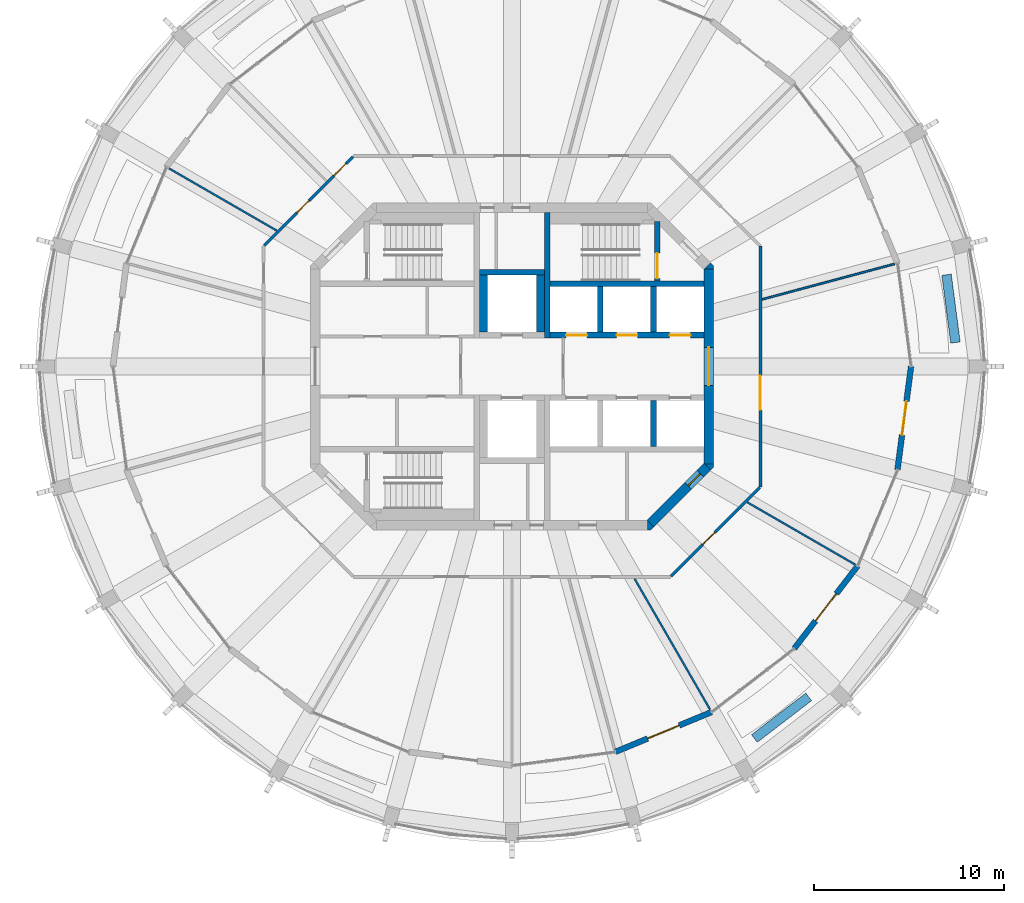
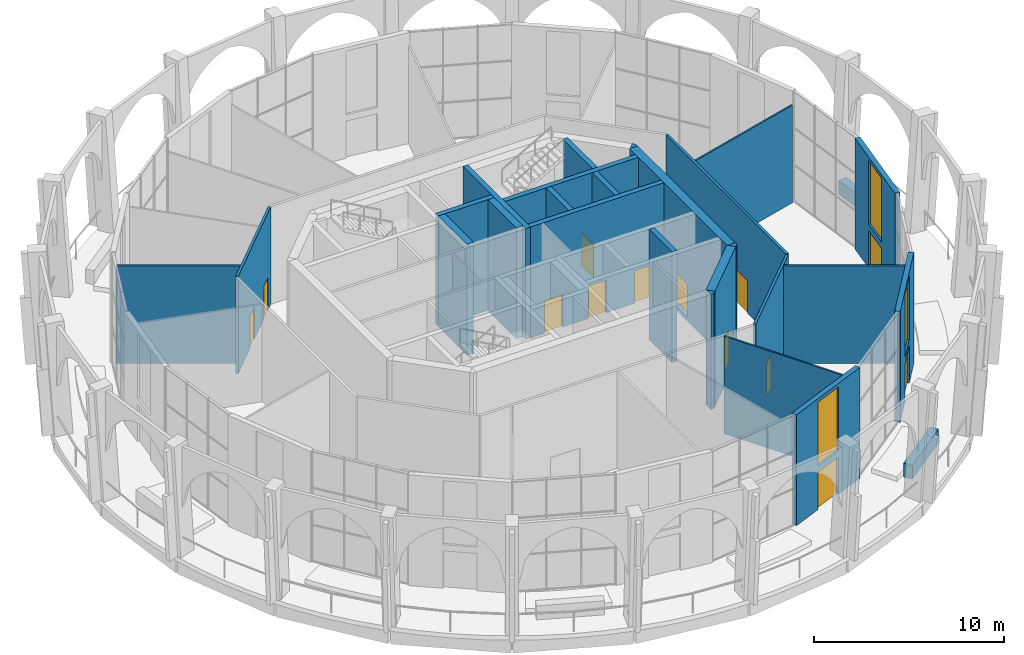
# One storey, part 12 of 17: 27 walls, 13 doors, 3 windows, 16 openings.
"""IFC4 building model written with IfcOpenShell, lengths in metres."""

from ifc_helpers import new_model, si_unit, direction, frame, frame_2d, origin, place, context, subcontext, project, spatial, polyline, rectangle, outline, extrude, material, layer, layer_set, type_object, element, fill, save


model = new_model("IFC4")

# Units and contexts
model_context = context("Model", 3, precision=1e-05, world=origin(), true_north=direction((0.0, 1.0)))
body_context = subcontext(model_context, "Body", "Model", "MODEL_VIEW")
ifc_project = project(units=[si_unit("LENGTHUNIT", "METRE"), si_unit("AREAUNIT", "SQUARE_METRE"), si_unit("VOLUMEUNIT", "CUBIC_METRE"), si_unit("PLANEANGLEUNIT", "RADIAN"), si_unit("MASSUNIT", "GRAM", prefix="KILO")], contexts=[model_context])

# Site, building, storey
site_placement = place(None, origin())
site = spatial("IfcSite", under=ifc_project, at=site_placement, CompositionType="ELEMENT")
building_placement = place(site_placement, origin())
building = spatial("IfcBuilding", under=site, at=building_placement, Name="Torre Triforio", CompositionType="ELEMENT")
storey_placement = place(building_placement, frame((0.0, 0.0, 276.0)))
storey = spatial("IfcBuildingStorey", under=building, at=storey_placement, Name="L64", CompositionType="ELEMENT", Elevation=276.0)

# Wall
ifc_material_1 = material(Name="Concrete C40", Category="concrete")
ifc_layer_1 = layer(ifc_material_1, 0.300048828125)
ifc_layer_set_1 = layer_set([ifc_layer_1], Name="Concrete C40")
wall_type_1 = type_object("IfcWallType", Name="Core wall 300 mm C40 EI 120", PredefinedType="SHEAR", material=ifc_layer_set_1)
wall_1_placement = place(storey_placement, frame((1.85009765625, 1.5, 0.0), z_axis=(0.0, 0.0, 1.0), x_axis=(0.0, 1.0, 0.0)))
element("IfcWall", 1, at=wall_1_placement, inside=storey, type_object=wall_type_1, Name="Core wall", PredefinedType="SHEAR", context=body_context, shape_type="SweptSolid", body=[
    extrude(rectangle(XDim=6.60009765625, YDim=0.300048828125, at=frame_2d((3.300048828125, 0.0))), origin(), (0.0, 0.0, 1.0), 7.1201171875),
])

# Wall, opening, door
ifc_layer_2 = layer(ifc_material_1, 0.5)
ifc_layer_set_2 = layer_set([ifc_layer_2], Name="Concrete C40")
wall_type_2 = type_object("IfcWallType", Name="Core wall 500 mm C40 EI 120", PredefinedType="SHEAR", material=ifc_layer_set_2)
wall_2_placement = place(storey_placement, frame((10.35009765625, -5.1298828125, -0.280029296875), z_axis=(0.0, 0.0, 1.0), x_axis=(0.0, 1.0, 0.0)))
wall_2 = element("IfcWall", 2, at=wall_2_placement, inside=storey, type_object=wall_type_2, Name="Core wall", PredefinedType="SHEAR", context=body_context, shape_type="SweptSolid", body=[
    extrude(rectangle(XDim=10.259765625, YDim=0.5, at=frame_2d((5.1298828125, 0.0))), origin(), (0.0, 0.0, 1.0), 7.400146484375),
])
opening_1_placement = place(wall_2_placement, frame((4.1298828125, 0.0, 0.280029296875)))
opening_1 = element("IfcOpeningElement", 3, at=opening_1_placement, cuts=wall_2, Name="Opening E-RING", PredefinedType="OPENING", context=body_context, shape_type="SweptSolid", body=[
    extrude(rectangle(XDim=2.0, YDim=2.10009765625, at=frame_2d((1.0, 1.050048828125))), frame((0.0, 0.260009765625, 0.0), z_axis=(0.0, -1.0, 0.0), x_axis=(1.0, 0.0, 0.0)), (0.0, 0.0, 1.0), 0.52001953125),
])
ifc_material_2 = material(Name="Hollow metal fire door leaf")
door_type_1 = type_object("IfcDoorType", Name="Lobby door 2000 x 2100 EI 60", OperationType="DOUBLE_DOOR_SINGLE_SWING", PredefinedType="DOOR", material=ifc_material_2)
door_1_placement = place(opening_1_placement, origin())
door_1 = element("IfcDoor", 4, at=door_1_placement, inside=storey, type_object=door_type_1, Name="Core door E-RING", OperationType="DOUBLE_DOOR_SINGLE_SWING", OverallHeight=2.10009765625, OverallWidth=2.0, PredefinedType="DOOR", context=body_context, shape_type="SweptSolid", body=[
    extrude(rectangle(XDim=2.0, YDim=2.10009765625, at=frame_2d((1.0, 1.050048828125))), frame((0.0, 0.02490234375, 0.0), z_axis=(0.0, -1.0, 0.0), x_axis=(1.0, 0.0, 0.0)), (0.0, 0.0, 1.0), 0.050048828125),
])
fill(opening_1, door_1)

wall_3_placement = place(storey_placement, frame((10.27685546875, -5.27685546875, -0.280029296875), z_axis=(0.0, 0.0, 1.0), x_axis=(-0.707106781187, -0.707106781187, 0.0)))
wall_3 = element("IfcWall", 5, at=wall_3_placement, inside=storey, type_object=wall_type_2, Name="Core wall", PredefinedType="SHEAR", context=body_context, shape_type="SweptSolid", body=[
    extrude(rectangle(XDim=4.24267578125, YDim=0.5, at=frame_2d((2.121337890625, 0.0))), origin(), (0.0, 0.0, 1.0), 7.400146484375),
])
opening_2_placement = place(wall_3_placement, frame((0.52001953125, 0.0, 0.280029296875)))
opening_2 = element("IfcOpeningElement", 6, at=opening_2_placement, cuts=wall_3, Name="Opening SE-02", PredefinedType="OPENING", context=body_context, shape_type="SweptSolid", body=[
    extrude(rectangle(XDim=0.89990234375, YDim=2.10009765625, at=frame_2d((0.449951171875, 1.050048828125))), frame((0.0, 0.260009765625, 0.0), z_axis=(0.0, -1.0, 0.0), x_axis=(1.0, 0.0, 0.0)), (0.0, 0.0, 1.0), 0.52001953125),
])
door_type_2 = type_object("IfcDoorType", Name="Room door 900 x 2100 EI 60", OperationType="NOTDEFINED", PredefinedType="DOOR", material=ifc_material_2)
door_2_placement = place(opening_2_placement, origin())
door_2 = element("IfcDoor", 7, at=door_2_placement, inside=storey, type_object=door_type_2, Name="Core door SE-02", OperationType="SINGLE_SWING_RIGHT", OverallHeight=2.10009765625, OverallWidth=0.89990234375, PredefinedType="DOOR", context=body_context, shape_type="SweptSolid", body=[
    extrude(rectangle(XDim=0.89990234375, YDim=2.10009765625, at=frame_2d((0.449951171875, 1.050048828125))), frame((0.0, 0.02490234375, 0.0), z_axis=(0.0, -1.0, 0.0), x_axis=(1.0, 0.0, 0.0)), (0.0, 0.0, 1.0), 0.050048828125),
])
fill(opening_2, door_2)

# Walls
wall_4_placement = place(storey_placement, frame((0.0, 0.0, -0.280029296875)))
element("IfcWall", 8, at=wall_4_placement, inside=storey, type_object=wall_type_2, Name="Core wall", PredefinedType="SHEAR", context=body_context, shape_type="SweptSolid", body=[
    extrude(outline(polyline([(7.30712890625, -8.60009765625), (7.1298828125, -8.60009765625), (7.1298828125, -8.1298828125), (7.45361328125, -8.45361328125), (7.30712890625, -8.60009765625)])), origin(), (0.0, 0.0, 1.0), 7.400146484375),
])
wall_5_placement = place(storey_placement, frame((0.0, 0.0, -0.280029296875)))
element("IfcWall", 9, at=wall_5_placement, inside=storey, type_object=wall_type_2, Name="Core wall", PredefinedType="SHEAR", context=body_context, shape_type="SweptSolid", body=[
    extrude(outline(polyline([(10.60009765625, -5.30712890625), (10.45361328125, -5.45361328125), (10.1298828125, -5.1298828125), (10.60009765625, -5.1298828125), (10.60009765625, -5.30712890625)])), origin(), (0.0, 0.0, 1.0), 7.400146484375),
])
wall_6_placement = place(storey_placement, frame((0.0, 0.0, -0.280029296875)))
element("IfcWall", 10, at=wall_6_placement, inside=storey, type_object=wall_type_2, Name="Core wall", PredefinedType="SHEAR", context=body_context, shape_type="SweptSolid", body=[
    extrude(outline(polyline([(10.60009765625, 5.30712890625), (10.60009765625, 5.1298828125), (10.1298828125, 5.1298828125), (10.45361328125, 5.45361328125), (10.60009765625, 5.30712890625)])), origin(), (0.0, 0.0, 1.0), 7.400146484375),
])

# Wall, opening, door
ifc_material_3 = material(Name="Plasterboard on metal studs")
ifc_layer_3 = layer(ifc_material_3, 0.14990234375)
ifc_layer_set_3 = layer_set([ifc_layer_3], Name="Plasterboard on metal studs")
wall_type_3 = type_object("IfcWallType", Name="Corridor and tenancy wall 150 mm EI 60", PredefinedType="PARTITIONING", material=ifc_layer_set_3)
wall_7_placement = place(storey_placement, frame((13.037841796875, -6.369384765625, 0.0), z_axis=(0.0, 0.0, 1.0), x_axis=(-0.707106781187, -0.707106781187, 0.0)))
wall_7 = element("IfcWall", 11, at=wall_7_placement, inside=storey, type_object=wall_type_3, Name="Partition 1", PredefinedType="PARTITIONING", context=body_context, shape_type="SweptSolid", body=[
    extrude(rectangle(XDim=6.602294921875, YDim=0.14990234375, at=frame_2d((3.30126953125, 0.0))), origin(), (0.0, 0.0, 1.0), 6.27001953125),
])
opening_3_placement = place(wall_7_placement, frame((3.34423828125, 0.0, 0.0)))
opening_3 = element("IfcOpeningElement", 12, at=opening_3_placement, cuts=wall_7, Name="Opening G4-05", PredefinedType="OPENING", context=body_context, shape_type="SweptSolid", body=[
    extrude(rectangle(XDim=0.89990234375, YDim=2.10009765625, at=frame_2d((0.449951171875, 1.050048828125))), frame((0.0, 0.0849609375, 0.0), z_axis=(0.0, -1.0, 0.0), x_axis=(1.0, 0.0, 0.0)), (0.0, 0.0, 1.0), 0.169921875),
])
ifc_material_4 = material(Name="Timber", Category="wood")
door_type_3 = type_object("IfcDoorType", Name="Door 900 x 2100 single leaf EI 30", OperationType="NOTDEFINED", PredefinedType="DOOR", material=ifc_material_4)
door_3_placement = place(opening_3_placement, origin())
door_3 = element("IfcDoor", 13, at=door_3_placement, inside=storey, type_object=door_type_3, Name="Door G4-05", OperationType="SINGLE_SWING_LEFT", OverallHeight=2.10009765625, OverallWidth=0.89990234375, PredefinedType="DOOR", context=body_context, shape_type="SweptSolid", body=[
    extrude(rectangle(XDim=0.89990234375, YDim=2.10009765625, at=frame_2d((0.449951171875, 1.050048828125))), frame((0.0, 0.02490234375, 0.0), z_axis=(0.0, -1.0, 0.0), x_axis=(1.0, 0.0, 0.0)), (0.0, 0.0, 1.0), 0.050048828125),
])
fill(opening_3, door_3)

# Wall, openings, doors
wall_8_placement = place(storey_placement, frame((-13.037841796875, 6.369384765625, 0.0), z_axis=(0.0, 0.0, 1.0), x_axis=(0.707106781187, 0.707106781187, 0.0)))
wall_8 = element("IfcWall", 14, at=wall_8_placement, inside=storey, type_object=wall_type_3, Name="Partition 5", PredefinedType="PARTITIONING", context=body_context, shape_type="SweptSolid", body=[
    extrude(rectangle(XDim=6.602294921875, YDim=0.14990234375, at=frame_2d((3.30126953125, 0.0))), origin(), (0.0, 0.0, 1.0), 6.27001953125),
])
opening_4_placement = place(wall_8_placement, frame((5.183837890625, 0.0, 0.0)))
opening_4 = element("IfcOpeningElement", 15, at=opening_4_placement, cuts=wall_8, Name="Opening G4-11", PredefinedType="OPENING", context=body_context, shape_type="SweptSolid", body=[
    extrude(rectangle(XDim=0.89990234375, YDim=2.10009765625, at=frame_2d((0.449951171875, 1.050048828125))), frame((0.0, 0.0849609375, 0.0), z_axis=(0.0, -1.0, 0.0), x_axis=(1.0, 0.0, 0.0)), (0.0, 0.0, 1.0), 0.169921875),
])
opening_5_placement = place(wall_8_placement, frame((2.42578125, 0.0, 0.0)))
opening_5 = element("IfcOpeningElement", 16, at=opening_5_placement, cuts=wall_8, Name="Opening G4-12", PredefinedType="OPENING", context=body_context, shape_type="SweptSolid", body=[
    extrude(rectangle(XDim=0.89990234375, YDim=2.10009765625, at=frame_2d((0.449951171875, 1.050048828125))), frame((0.0, 0.0849609375, 0.0), z_axis=(0.0, -1.0, 0.0), x_axis=(1.0, 0.0, 0.0)), (0.0, 0.0, 1.0), 0.169921875),
])
door_4_placement = place(opening_4_placement, origin())
door_4 = element("IfcDoor", 17, at=door_4_placement, inside=storey, type_object=door_type_3, Name="Door G4-11", OperationType="SINGLE_SWING_RIGHT", OverallHeight=2.10009765625, OverallWidth=0.89990234375, PredefinedType="DOOR", context=body_context, shape_type="SweptSolid", body=[
    extrude(rectangle(XDim=0.89990234375, YDim=2.10009765625, at=frame_2d((0.449951171875, 1.050048828125))), frame((0.0, 0.02490234375, 0.0), z_axis=(0.0, -1.0, 0.0), x_axis=(1.0, 0.0, 0.0)), (0.0, 0.0, 1.0), 0.050048828125),
])
fill(opening_4, door_4)
door_5_placement = place(opening_5_placement, origin())
door_5 = element("IfcDoor", 18, at=door_5_placement, inside=storey, type_object=door_type_3, Name="Door G4-12", OperationType="SINGLE_SWING_LEFT", OverallHeight=2.10009765625, OverallWidth=0.89990234375, PredefinedType="DOOR", context=body_context, shape_type="SweptSolid", body=[
    extrude(rectangle(XDim=0.89990234375, YDim=2.10009765625, at=frame_2d((0.449951171875, 1.050048828125))), frame((0.0, 0.02490234375, 0.0), z_axis=(0.0, -1.0, 0.0), x_axis=(1.0, 0.0, 0.0)), (0.0, 0.0, 1.0), 0.050048828125),
])
fill(opening_5, door_5)

# Wall, opening, door
wall_9_placement = place(storey_placement, frame((13.074951171875, 6.332275390625, 0.0), z_axis=(0.0, 0.0, 1.0), x_axis=(0.0, -1.0, 0.0)))
wall_9 = element("IfcWall", 19, at=wall_9_placement, inside=storey, type_object=wall_type_3, Name="Partition 8", PredefinedType="PARTITIONING", context=body_context, shape_type="SweptSolid", body=[
    extrude(rectangle(XDim=12.66455078125, YDim=0.14990234375, at=frame_2d((6.332275390625, 0.0))), origin(), (0.0, 0.0, 1.0), 6.27001953125),
])
opening_6_placement = place(wall_9_placement, frame((6.82080078125, 0.0, 0.0)))
opening_6 = element("IfcOpeningElement", 20, at=opening_6_placement, cuts=wall_9, Name="Opening G4-06", PredefinedType="OPENING", context=body_context, shape_type="SweptSolid", body=[
    extrude(rectangle(XDim=1.800048828125, YDim=2.10009765625, at=frame_2d((0.89990234375, 1.050048828125))), frame((0.0, 0.0849609375, 0.0), z_axis=(0.0, -1.0, 0.0), x_axis=(1.0, 0.0, 0.0)), (0.0, 0.0, 1.0), 0.169921875),
])
door_type_4 = type_object("IfcDoorType", Name="Door 1800 x 2100 double leaf EI 30", OperationType="DOUBLE_DOOR_SINGLE_SWING", PredefinedType="DOOR", material=ifc_material_4)
door_6_placement = place(opening_6_placement, origin())
door_6 = element("IfcDoor", 21, at=door_6_placement, inside=storey, type_object=door_type_4, Name="Door G4-06", OperationType="DOUBLE_DOOR_SINGLE_SWING", OverallHeight=2.10009765625, OverallWidth=1.800048828125, PredefinedType="DOOR", context=body_context, shape_type="SweptSolid", body=[
    extrude(rectangle(XDim=1.800048828125, YDim=2.10009765625, at=frame_2d((0.89990234375, 1.050048828125))), frame((0.0, 0.02490234375, 0.0), z_axis=(0.0, -1.0, 0.0), x_axis=(1.0, 0.0, 0.0)), (0.0, 0.0, 1.0), 0.050048828125),
])
fill(opening_6, door_6)

# Walls
ifc_layer_4 = layer(ifc_material_3, 0.10009765625)
ifc_layer_set_4 = layer_set([ifc_layer_4], Name="Plasterboard on metal studs")
wall_type_4 = type_object("IfcWallType", Name="Partition 100 mm board on metal studs", PredefinedType="PARTITIONING", material=ifc_layer_set_4)
wall_10_placement = place(storey_placement, frame((13.164306640625, 3.52734375, 0.0), z_axis=(0.0, 0.0, 1.0), x_axis=(0.965929002199, 0.258807192153, 0.0)))
element("IfcWall", 22, at=wall_10_placement, inside=storey, type_object=wall_type_4, Name="Partition 9", PredefinedType="PARTITIONING", context=body_context, shape_type="SweptSolid", body=[
    extrude(rectangle(XDim=7.2080078125, YDim=0.10009765625, at=frame_2d((3.60400390625, 0.0))), origin(), (0.0, 0.0, 1.0), 6.27001953125),
])
wall_11_placement = place(storey_placement, frame((-12.3837890625, 7.14990234375, 0.0), z_axis=(0.0, 0.0, 1.0), x_axis=(-0.866028240128, 0.499995087276, 0.0)))
element("IfcWall", 23, at=wall_11_placement, inside=storey, type_object=wall_type_4, Name="Partition 15", PredefinedType="PARTITIONING", context=body_context, shape_type="SweptSolid", body=[
    extrude(rectangle(XDim=6.537109375, YDim=0.10009765625, at=frame_2d((3.2685546875, 0.0))), origin(), (0.0, 0.0, 1.0), 6.27001953125),
])
wall_12_placement = place(storey_placement, frame((6.45166015625, -11.174560546875, 0.0), z_axis=(0.0, 0.0, 1.0), x_axis=(0.50000481735, -0.866022622468, 0.0)))
element("IfcWall", 24, at=wall_12_placement, inside=storey, type_object=wall_type_4, Name="Partition 21", PredefinedType="PARTITIONING", context=body_context, shape_type="SweptSolid", body=[
    extrude(rectangle(XDim=7.93359375, YDim=0.10009765625, at=frame_2d((3.966796875, 0.0))), origin(), (0.0, 0.0, 1.0), 6.27001953125),
])
wall_13_placement = place(storey_placement, frame((12.3837890625, -7.14990234375, 0.0), z_axis=(0.0, 0.0, 1.0), x_axis=(0.866028240128, -0.499995087276, 0.0)))
element("IfcWall", 25, at=wall_13_placement, inside=storey, type_object=wall_type_4, Name="Partition 22", PredefinedType="PARTITIONING", context=body_context, shape_type="SweptSolid", body=[
    extrude(rectangle(XDim=6.537109375, YDim=0.10009765625, at=frame_2d((3.2685546875, 0.0))), origin(), (0.0, 0.0, 1.0), 6.27001953125),
])
ifc_material_5 = material(Name="Limestone cladding", Category="masonry")
ifc_layer_5 = layer(ifc_material_5, 0.10009765625)
ifc_layer_6 = layer(ifc_material_1, 0.39990234375)
ifc_layer_set_5 = layer_set([ifc_layer_5, ifc_layer_6], Name="Limestone cladding / Concrete C40")
wall_type_5 = type_object("IfcWallType", Name="Planter wall 500", PredefinedType="PARAPET", material=ifc_layer_set_5)
for number, where, z_axis, x_axis, name in (
    (26, (23.335693359375, 1.256591796875, 0.0), (0.0, 0.0, 1.0), (-0.130542222659, 0.991442750795, 0.0), "Planter L64 bay 01"),
    (27, (12.756103515625, -19.580810546875, 0.0), (0.0, 0.0, 1.0), (0.793384730612, 0.608720518162, 0.0), "Planter L64 bay 21"),
):
    element("IfcWall", number, at=place(storey_placement, frame(where, z_axis=z_axis, x_axis=x_axis)), inside=storey, type_object=wall_type_5, Name=name, PredefinedType="PARAPET", context=body_context, shape_type="SweptSolid", body=[
        extrude(rectangle(XDim=3.60009765625, YDim=0.5, at=frame_2d((1.800048828125, 0.0))), origin(), (0.0, 0.0, 1.0), 0.89990234375),
    ])
ifc_layer_7 = layer(ifc_material_1, 0.300048828125)
ifc_layer_set_6 = layer_set([ifc_layer_7], Name="Concrete C40")
wall_type_6 = type_object("IfcWallType", Name="Shaft wall 300 mm C40 EI 120", PredefinedType="SOLIDWALL", material=ifc_layer_set_6)
wall_14_placement = place(storey_placement, frame((2.0, 4.35009765625, 0.0), z_axis=(0.0, 0.0, 1.0), x_axis=(1.0, 0.0, 0.0)))
element("IfcWall", 28, at=wall_14_placement, inside=storey, type_object=wall_type_6, Name="Shaft wall", PredefinedType="SOLIDWALL", context=body_context, shape_type="SweptSolid", body=[
    extrude(rectangle(XDim=8.10009765625, YDim=0.300048828125, at=frame_2d((4.050048828125, 0.0))), origin(), (0.0, 0.0, 1.0), 7.1201171875),
])

# Wall, openings, doors
wall_15_placement = place(storey_placement, frame((2.0, 1.64990234375, 0.0), z_axis=(0.0, 0.0, 1.0), x_axis=(1.0, 0.0, 0.0)))
wall_15 = element("IfcWall", 29, at=wall_15_placement, inside=storey, type_object=wall_type_6, Name="Shaft wall", PredefinedType="SOLIDWALL", context=body_context, shape_type="SweptSolid", body=[
    extrude(rectangle(XDim=8.10009765625, YDim=0.300048828125, at=frame_2d((4.050048828125, 0.0))), origin(), (0.0, 0.0, 1.0), 7.1201171875),
])
opening_7_placement = place(wall_15_placement, frame((0.85009765625, 0.0, 0.0)))
opening_7 = element("IfcOpeningElement", 30, at=opening_7_placement, cuts=wall_15, Name="Opening LD", PredefinedType="OPENING", context=body_context, shape_type="SweptSolid", body=[
    extrude(rectangle(XDim=1.10009765625, YDim=2.10009765625, at=frame_2d((0.550048828125, 1.050048828125))), frame((0.0, 0.159912109375, 0.0), z_axis=(0.0, -1.0, 0.0), x_axis=(1.0, 0.0, 0.0)), (0.0, 0.0, 1.0), 0.320068359375),
])
opening_8_placement = place(wall_15_placement, frame((3.5, 0.0, 0.0)))
opening_8 = element("IfcOpeningElement", 31, at=opening_8_placement, cuts=wall_15, Name="Opening LD", PredefinedType="OPENING", context=body_context, shape_type="SweptSolid", body=[
    extrude(rectangle(XDim=1.10009765625, YDim=2.10009765625, at=frame_2d((0.550048828125, 1.050048828125))), frame((0.0, 0.159912109375, 0.0), z_axis=(0.0, -1.0, 0.0), x_axis=(1.0, 0.0, 0.0)), (0.0, 0.0, 1.0), 0.320068359375),
])
opening_9_placement = place(wall_15_placement, frame((6.300048828125, 0.0, 0.0)))
opening_9 = element("IfcOpeningElement", 32, at=opening_9_placement, cuts=wall_15, Name="Opening LD", PredefinedType="OPENING", context=body_context, shape_type="SweptSolid", body=[
    extrude(rectangle(XDim=1.10009765625, YDim=2.10009765625, at=frame_2d((0.550048828125, 1.050048828125))), frame((0.0, 0.159912109375, 0.0), z_axis=(0.0, -1.0, 0.0), x_axis=(1.0, 0.0, 0.0)), (0.0, 0.0, 1.0), 0.320068359375),
])
door_type_5 = type_object("IfcDoorType", Name="Landing door 1100 x 2100 EI 60", OperationType="DOUBLE_DOOR_SLIDING", PredefinedType="DOOR", material=ifc_material_2)
door_7_placement = place(opening_7_placement, origin())
door_7 = element("IfcDoor", 33, at=door_7_placement, inside=storey, type_object=door_type_5, Name="Landing door HR1", OperationType="DOUBLE_DOOR_SLIDING", OverallHeight=2.10009765625, OverallWidth=1.10009765625, PredefinedType="DOOR", context=body_context, shape_type="SweptSolid", body=[
    extrude(rectangle(XDim=1.10009765625, YDim=2.10009765625, at=frame_2d((0.550048828125, 1.050048828125))), frame((0.0, 0.02490234375, 0.0), z_axis=(0.0, -1.0, 0.0), x_axis=(1.0, 0.0, 0.0)), (0.0, 0.0, 1.0), 0.050048828125),
])
fill(opening_7, door_7)
door_8_placement = place(opening_8_placement, origin())
door_8 = element("IfcDoor", 34, at=door_8_placement, inside=storey, type_object=door_type_5, Name="Landing door HR2", OperationType="DOUBLE_DOOR_SLIDING", OverallHeight=2.10009765625, OverallWidth=1.10009765625, PredefinedType="DOOR", context=body_context, shape_type="SweptSolid", body=[
    extrude(rectangle(XDim=1.10009765625, YDim=2.10009765625, at=frame_2d((0.550048828125, 1.050048828125))), frame((0.0, 0.02490234375, 0.0), z_axis=(0.0, -1.0, 0.0), x_axis=(1.0, 0.0, 0.0)), (0.0, 0.0, 1.0), 0.050048828125),
])
fill(opening_8, door_8)
door_9_placement = place(opening_9_placement, origin())
door_9 = element("IfcDoor", 35, at=door_9_placement, inside=storey, type_object=door_type_5, Name="Landing door HR3", OperationType="DOUBLE_DOOR_SLIDING", OverallHeight=2.10009765625, OverallWidth=1.10009765625, PredefinedType="DOOR", context=body_context, shape_type="SweptSolid", body=[
    extrude(rectangle(XDim=1.10009765625, YDim=2.10009765625, at=frame_2d((0.550048828125, 1.050048828125))), frame((0.0, 0.02490234375, 0.0), z_axis=(0.0, -1.0, 0.0), x_axis=(1.0, 0.0, 0.0)), (0.0, 0.0, 1.0), 0.050048828125),
])
fill(opening_9, door_9)

# Walls
for number, where, z_axis, x_axis, name in (
    (36, (4.64990234375, 1.800048828125, 0.0), (0.0, 0.0, 1.0), (0.0, 1.0, 0.0), "Shaft wall"),
    (37, (7.449951171875, 1.800048828125, 0.0), (0.0, 0.0, 1.0), (0.0, 1.0, 0.0), "Shaft wall"),
    (38, (7.449951171875, -4.199951171875, 0.0), (0.0, 0.0, 1.0), (0.0, 1.0, 0.0), "Shaft wall"),
):
    element("IfcWall", number, at=place(storey_placement, frame(where, z_axis=z_axis, x_axis=x_axis)), inside=storey, type_object=wall_type_6, Name=name, PredefinedType="SOLIDWALL", context=body_context, shape_type="SweptSolid", body=[
        extrude(rectangle(XDim=2.39990234375, YDim=0.300048828125, at=frame_2d((1.199951171875, 0.0))), origin(), (0.0, 0.0, 1.0), 7.1201171875),
    ])
wall_16_placement = place(storey_placement, frame((-1.699951171875, 4.949951171875, 0.0), z_axis=(0.0, 0.0, 1.0), x_axis=(1.0, 0.0, 0.0)))
element("IfcWall", 39, at=wall_16_placement, inside=storey, type_object=wall_type_6, Name="Shaft wall", PredefinedType="SOLIDWALL", context=body_context, shape_type="SweptSolid", body=[
    extrude(rectangle(XDim=3.39990234375, YDim=0.300048828125, at=frame_2d((1.699951171875, 0.0))), origin(), (0.0, 0.0, 1.0), 7.1201171875),
])
ifc_layer_8 = layer(ifc_material_1, 0.39990234375)
ifc_layer_set_7 = layer_set([ifc_layer_8], Name="Concrete C40")
wall_type_7 = type_object("IfcWallType", Name="Shaft wall 400 mm C40 EI 120", PredefinedType="SOLIDWALL", material=ifc_layer_set_7)
for number, where, z_axis, x_axis, name in (
    (40, (-1.5, 1.800048828125, 0.0), (0.0, 0.0, 1.0), (0.0, 1.0, 0.0), "Shaft wall"),
    (41, (1.5, 1.800048828125, 0.0), (0.0, 0.0, 1.0), (0.0, 1.0, 0.0), "Shaft wall"),
):
    element("IfcWall", number, at=place(storey_placement, frame(where, z_axis=z_axis, x_axis=x_axis)), inside=storey, type_object=wall_type_7, Name=name, PredefinedType="SOLIDWALL", context=body_context, shape_type="SweptSolid", body=[
        extrude(rectangle(XDim=3.0, YDim=0.39990234375, at=frame_2d((1.5, 0.0))), origin(), (0.0, 0.0, 1.0), 7.1201171875),
    ])

# Wall, opening, door
ifc_layer_9 = layer(ifc_material_1, 0.300048828125)
ifc_layer_set_8 = layer_set([ifc_layer_9], Name="Concrete C40")
wall_type_8 = type_object("IfcWallType", Name="Stair wall 300 mm C40 EI 120", PredefinedType="SHEAR", material=ifc_layer_set_8)
wall_17_placement = place(storey_placement, frame((7.64990234375, 4.5, 0.0), z_axis=(0.0, 0.0, 1.0), x_axis=(0.0, 1.0, 0.0)))
wall_17 = element("IfcWall", 42, at=wall_17_placement, inside=storey, type_object=wall_type_8, Name="Stair wall", PredefinedType="SHEAR", context=body_context, shape_type="SweptSolid", body=[
    extrude(rectangle(XDim=3.139892578125, YDim=0.300048828125, at=frame_2d((1.56982421875, 0.0))), origin(), (0.0, 0.0, 1.0), 7.1201171875),
])
opening_10_placement = place(wall_17_placement, frame((0.139892578125, 0.0, 0.0)))
opening_10 = element("IfcOpeningElement", 43, at=opening_10_placement, cuts=wall_17, Name="Opening ST2-STA", PredefinedType="OPENING", context=body_context, shape_type="SweptSolid", body=[
    extrude(rectangle(XDim=1.320068359375, YDim=2.10009765625, at=frame_2d((0.66015625, 1.050048828125))), frame((0.0, 0.159912109375, 0.0), z_axis=(0.0, -1.0, 0.0), x_axis=(1.0, 0.0, 0.0)), (0.0, 0.0, 1.0), 0.320068359375),
])
door_type_6 = type_object("IfcDoorType", Name="Stair door 1320 x 2100 EI 90", OperationType="DOUBLE_DOOR_SINGLE_SWING", PredefinedType="DOOR", material=ifc_material_2)
door_10_placement = place(opening_10_placement, origin())
door_10 = element("IfcDoor", 44, at=door_10_placement, inside=storey, type_object=door_type_6, Name="Core door ST2-ST", OperationType="DOUBLE_DOOR_SINGLE_SWING", OverallHeight=2.10009765625, OverallWidth=1.320068359375, PredefinedType="DOOR", context=body_context, shape_type="SweptSolid", body=[
    extrude(rectangle(XDim=1.320068359375, YDim=2.10009765625, at=frame_2d((0.66015625, 1.050048828125))), frame((0.0, 0.02490234375, 0.0), z_axis=(0.0, -1.0, 0.0), x_axis=(1.0, 0.0, 0.0)), (0.0, 0.0, 1.0), 0.050048828125),
])
fill(opening_10, door_10)

# Wall, openings, window, door
ifc_layer_10 = layer(ifc_material_5, 0.10009765625)
ifc_layer_11 = layer(ifc_material_1, 0.199951171875)
ifc_layer_set_9 = layer_set([ifc_layer_10, ifc_layer_11], Name="Limestone cladding / Concrete C40")
wall_type_9 = type_object("IfcWallType", Name="Stone-faced composite wall 300", PredefinedType="STANDARD", material=ifc_layer_set_9)
wall_18_placement = place(storey_placement, frame((5.435302734375, -20.284423828125, 0.0), z_axis=(0.0, 0.0, 1.0), x_axis=(0.923877333662, 0.382688740813, 0.0)))
wall_18 = element("IfcWall", 45, at=wall_18_placement, inside=storey, type_object=wall_type_9, Name="External wall L64 bay 20", PredefinedType="STANDARD", context=body_context, shape_type="SweptSolid", body=[
    extrude(rectangle(XDim=5.48193359375, YDim=0.300048828125, at=frame_2d((2.740966796875, 0.0))), origin(), (0.0, 0.0, 1.0), 7.1201171875),
])
opening_11_placement = place(wall_18_placement, frame((1.841064453125, 0.0, 0.0)))
opening_11 = element("IfcOpeningElement", 46, at=opening_11_placement, cuts=wall_18, Name="Opening G4-D20", PredefinedType="OPENING", context=body_context, shape_type="SweptSolid", body=[
    extrude(rectangle(XDim=1.800048828125, YDim=2.39990234375, at=frame_2d((0.89990234375, 1.199951171875))), frame((0.0, 0.159912109375, 0.0), z_axis=(0.0, -1.0, 0.0), x_axis=(1.0, 0.0, 0.0)), (0.0, 0.0, 1.0), 0.320068359375),
])
opening_12_placement = place(wall_18_placement, frame((1.841064453125, 0.0, 2.800048828125)))
opening_12 = element("IfcOpeningElement", 47, at=opening_12_placement, cuts=wall_18, Name="Opening G4-W20", PredefinedType="OPENING", context=body_context, shape_type="SweptSolid", body=[
    extrude(rectangle(XDim=1.800048828125, YDim=4.10009765625, at=frame_2d((0.89990234375, 2.050048828125))), frame((0.0, 0.159912109375, 0.0), z_axis=(0.0, -1.0, 0.0), x_axis=(1.0, 0.0, 0.0)), (0.0, 0.0, 1.0), 0.320068359375),
])
ifc_material_6 = material(Name="Aluminium frame with clear double glazing", Category="aluminium")
window_type = type_object("IfcWindowType", Name="Garden clerestory window 1800 x 4100", PartitioningType="DOUBLE_PANEL_VERTICAL", PredefinedType="WINDOW", material=ifc_material_6)
window_1_placement = place(opening_12_placement, origin())
window_1 = element("IfcWindow", 48, at=window_1_placement, inside=storey, type_object=window_type, Name="Clerestory EWN22 L64 bay 20", OverallHeight=4.10009765625, OverallWidth=1.800048828125, PartitioningType="SINGLE_PANEL", PredefinedType="WINDOW", context=body_context, shape_type="SweptSolid", body=[
    extrude(rectangle(XDim=1.800048828125, YDim=4.10009765625, at=frame_2d((0.89990234375, 2.050048828125))), frame((0.0, 0.030029296875, 0.0), z_axis=(0.0, -1.0, 0.0), x_axis=(1.0, 0.0, 0.0)), (0.0, 0.0, 1.0), 0.06005859375),
])
fill(opening_12, window_1)
door_type_7 = type_object("IfcDoorType", Name="Terrace double door 1800 x 2400", OperationType="DOUBLE_DOOR_SINGLE_SWING", PredefinedType="DOOR", material=ifc_material_6)
door_11_placement = place(opening_11_placement, origin())
door_11 = element("IfcDoor", 49, at=door_11_placement, inside=storey, type_object=door_type_7, Name="Terrace door L64 bay 20", OperationType="SINGLE_SWING_LEFT", OverallHeight=2.39990234375, OverallWidth=1.800048828125, PredefinedType="DOOR", context=body_context, shape_type="SweptSolid", body=[
    extrude(rectangle(XDim=1.800048828125, YDim=2.39990234375, at=frame_2d((0.89990234375, 1.199951171875))), frame((0.0, 0.02490234375, 0.0), z_axis=(0.0, -1.0, 0.0), x_axis=(1.0, 0.0, 0.0)), (0.0, 0.0, 1.0), 0.050048828125),
])
fill(opening_11, door_11)

wall_19_placement = place(storey_placement, frame((14.84912109375, -14.84912109375, 0.0), z_axis=(0.0, 0.0, 1.0), x_axis=(0.608784891166, 0.793335336593, 0.0)))
wall_19 = element("IfcWall", 50, at=wall_19_placement, inside=storey, type_object=wall_type_9, Name="External wall L64 bay 22", PredefinedType="STANDARD", context=body_context, shape_type="SweptSolid", body=[
    extrude(rectangle(XDim=5.482177734375, YDim=0.300048828125, at=frame_2d((2.7412109375, 0.0))), origin(), (0.0, 0.0, 1.0), 7.1201171875),
])
opening_13_placement = place(wall_19_placement, frame((1.841064453125, 0.0, 0.0)))
opening_13 = element("IfcOpeningElement", 51, at=opening_13_placement, cuts=wall_19, Name="Opening G4-D22", PredefinedType="OPENING", context=body_context, shape_type="SweptSolid", body=[
    extrude(rectangle(XDim=1.800048828125, YDim=2.39990234375, at=frame_2d((0.89990234375, 1.199951171875))), frame((0.0, 0.159912109375, 0.0), z_axis=(0.0, -1.0, 0.0), x_axis=(1.0, 0.0, 0.0)), (0.0, 0.0, 1.0), 0.320068359375),
])
opening_14_placement = place(wall_19_placement, frame((1.841064453125, 0.0, 2.800048828125)))
opening_14 = element("IfcOpeningElement", 52, at=opening_14_placement, cuts=wall_19, Name="Opening G4-W22", PredefinedType="OPENING", context=body_context, shape_type="SweptSolid", body=[
    extrude(rectangle(XDim=1.800048828125, YDim=4.10009765625, at=frame_2d((0.89990234375, 2.050048828125))), frame((0.0, 0.159912109375, 0.0), z_axis=(0.0, -1.0, 0.0), x_axis=(1.0, 0.0, 0.0)), (0.0, 0.0, 1.0), 0.320068359375),
])
window_2_placement = place(opening_14_placement, origin())
window_2 = element("IfcWindow", 53, at=window_2_placement, inside=storey, type_object=window_type, Name="Clerestory EWN22 L64 bay 22", OverallHeight=4.10009765625, OverallWidth=1.800048828125, PartitioningType="SINGLE_PANEL", PredefinedType="WINDOW", context=body_context, shape_type="SweptSolid", body=[
    extrude(rectangle(XDim=1.800048828125, YDim=4.10009765625, at=frame_2d((0.89990234375, 2.050048828125))), frame((0.0, 0.030029296875, 0.0), z_axis=(0.0, -1.0, 0.0), x_axis=(1.0, 0.0, 0.0)), (0.0, 0.0, 1.0), 0.06005859375),
])
fill(opening_14, window_2)
door_12_placement = place(opening_13_placement, origin())
door_12 = element("IfcDoor", 54, at=door_12_placement, inside=storey, type_object=door_type_7, Name="Terrace door L64 bay 22", OperationType="SINGLE_SWING_LEFT", OverallHeight=2.39990234375, OverallWidth=1.800048828125, PredefinedType="DOOR", context=body_context, shape_type="SweptSolid", body=[
    extrude(rectangle(XDim=1.800048828125, YDim=2.39990234375, at=frame_2d((0.89990234375, 1.199951171875))), frame((0.0, 0.02490234375, 0.0), z_axis=(0.0, -1.0, 0.0), x_axis=(1.0, 0.0, 0.0)), (0.0, 0.0, 1.0), 0.050048828125),
])
fill(opening_13, door_12)

wall_20_placement = place(storey_placement, frame((20.284423828125, -5.435302734375, 0.0), z_axis=(0.0, 0.0, 1.0), x_axis=(0.130527087244, 0.991444743541, 0.0)))
wall_20 = element("IfcWall", 55, at=wall_20_placement, inside=storey, type_object=wall_type_9, Name="External wall L64 bay 24", PredefinedType="STANDARD", context=body_context, shape_type="SweptSolid", body=[
    extrude(rectangle(XDim=5.482177734375, YDim=0.300048828125, at=frame_2d((2.7412109375, 0.0))), origin(), (0.0, 0.0, 1.0), 7.1201171875),
])
opening_15_placement = place(wall_20_placement, frame((1.841064453125, 0.0, 0.0)))
opening_15 = element("IfcOpeningElement", 56, at=opening_15_placement, cuts=wall_20, Name="Opening G4-D24", PredefinedType="OPENING", context=body_context, shape_type="SweptSolid", body=[
    extrude(rectangle(XDim=1.800048828125, YDim=2.39990234375, at=frame_2d((0.89990234375, 1.199951171875))), frame((0.0, 0.159912109375, 0.0), z_axis=(0.0, -1.0, 0.0), x_axis=(1.0, 0.0, 0.0)), (0.0, 0.0, 1.0), 0.320068359375),
])
opening_16_placement = place(wall_20_placement, frame((1.841064453125, 0.0, 2.800048828125)))
opening_16 = element("IfcOpeningElement", 57, at=opening_16_placement, cuts=wall_20, Name="Opening G4-W24", PredefinedType="OPENING", context=body_context, shape_type="SweptSolid", body=[
    extrude(rectangle(XDim=1.800048828125, YDim=4.10009765625, at=frame_2d((0.89990234375, 2.050048828125))), frame((0.0, 0.159912109375, 0.0), z_axis=(0.0, -1.0, 0.0), x_axis=(1.0, 0.0, 0.0)), (0.0, 0.0, 1.0), 0.320068359375),
])
window_3_placement = place(opening_16_placement, origin())
window_3 = element("IfcWindow", 58, at=window_3_placement, inside=storey, type_object=window_type, Name="Clerestory EWN22 L64 bay 24", OverallHeight=4.10009765625, OverallWidth=1.800048828125, PartitioningType="SINGLE_PANEL", PredefinedType="WINDOW", context=body_context, shape_type="SweptSolid", body=[
    extrude(rectangle(XDim=1.800048828125, YDim=4.10009765625, at=frame_2d((0.89990234375, 2.050048828125))), frame((0.0, 0.030029296875, 0.0), z_axis=(0.0, -1.0, 0.0), x_axis=(1.0, 0.0, 0.0)), (0.0, 0.0, 1.0), 0.06005859375),
])
fill(opening_16, window_3)
door_13_placement = place(opening_15_placement, origin())
door_13 = element("IfcDoor", 59, at=door_13_placement, inside=storey, type_object=door_type_7, Name="Terrace door L64 bay 24", OperationType="SINGLE_SWING_LEFT", OverallHeight=2.39990234375, OverallWidth=1.800048828125, PredefinedType="DOOR", context=body_context, shape_type="SweptSolid", body=[
    extrude(rectangle(XDim=1.800048828125, YDim=2.39990234375, at=frame_2d((0.89990234375, 1.199951171875))), frame((0.0, 0.02490234375, 0.0), z_axis=(0.0, -1.0, 0.0), x_axis=(1.0, 0.0, 0.0)), (0.0, 0.0, 1.0), 0.050048828125),
])
fill(opening_15, door_13)

save(model, "model.ifc")
